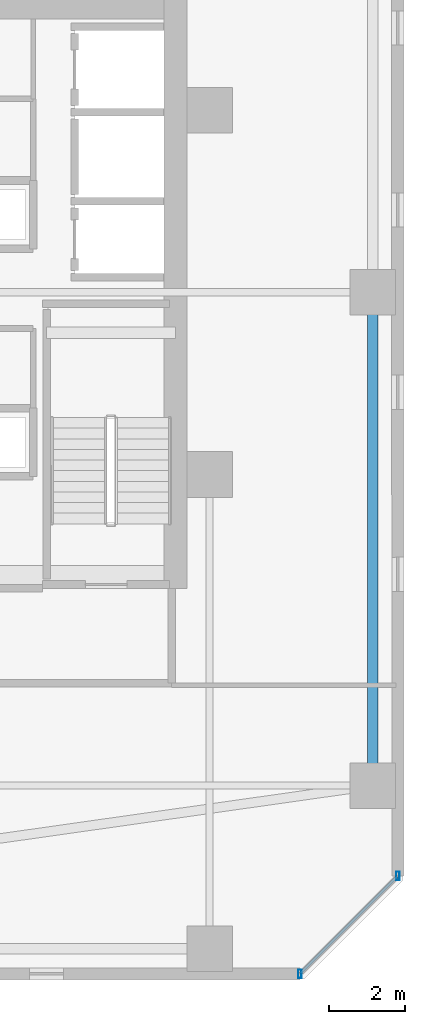
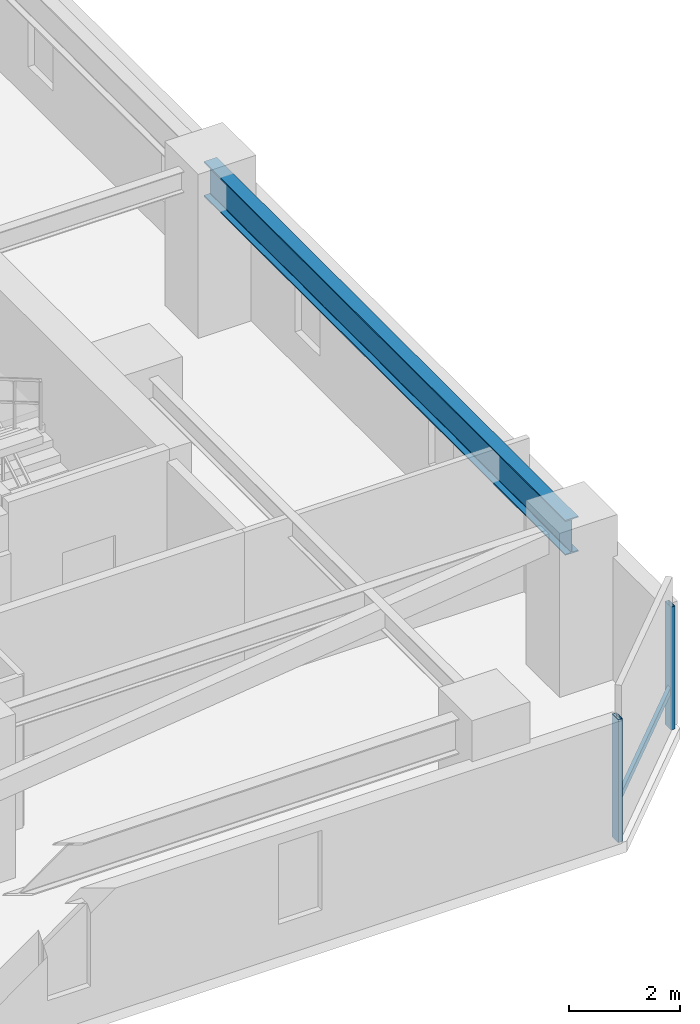
# One storey, part 12 of 29: 3 members, 1 beam, 1 element without a shape of its own.
"""IFC4 building model written with IfcOpenShell, lengths in metres."""

from ifc_helpers import new_model, si_unit, direction, frame, origin, origin_2d, place, context, subcontext, project, spatial, hollow_rectangle, i_section, extrude, material, material_profile, profile_set, type_object, element, aggregate, save


model = new_model("IFC4")

# Units and contexts
model_context = context("Model", 3, precision=1e-05, world=origin(), true_north=direction((0.0, 1.0)))
body_context = subcontext(model_context, "Body", "Model", "MODEL_VIEW")
ifc_project = project(units=[si_unit("LENGTHUNIT", "METRE"), si_unit("AREAUNIT", "SQUARE_METRE"), si_unit("VOLUMEUNIT", "CUBIC_METRE"), si_unit("PLANEANGLEUNIT", "RADIAN"), si_unit("MASSUNIT", "GRAM", prefix="KILO")], contexts=[model_context])

# Site, building, storey
site_placement = place(None, origin())
site = spatial("IfcSite", under=ifc_project, at=site_placement, CompositionType="ELEMENT")
building_placement = place(site_placement, origin())
building = spatial("IfcBuilding", under=site, at=building_placement, Name="Thornwick Lancets Civic Towers", CompositionType="ELEMENT")
storey_placement = place(building_placement, frame((0.0, 0.0, 83.699951171875)))
storey = spatial("IfcBuildingStorey", under=building, at=storey_placement, Name="L21", CompositionType="ELEMENT", Elevation=83.699951171875)

# Beam
ifc_material_1 = material(Name="Steel S355JR", Category="steel")
ifc_material_profile_1 = material_profile(ifc_material_1, i_section(OverallWidth=0.26806640625, OverallDepth=0.769775390625, WebThickness=0.015625, FlangeThickness=0.025390625, FilletRadius=0.0166015625, at=origin_2d()), Name="UKB 762x267x197")
ifc_profile_set_1 = profile_set([ifc_material_profile_1], Name="Steel S355JR")
beam_type = type_object("IfcBeamType", Name="BM_GIRD_762_197", PredefinedType="BEAM", material=ifc_profile_set_1)
beam_placement = place(storey_placement, frame((105.800048828125, 14.0, 2.97509765625), z_axis=(0.0, 1.0, 0.0), x_axis=(-1.0, 0.0, 0.0)))
element("IfcBeam", 1, at=beam_placement, inside=storey, type_object=beam_type, Name="BM-SPINE-L21-B-0-1", PredefinedType="BEAM", context=body_context, shape_type="SweptSolid", body=[
    extrude(i_section(OverallWidth=0.26806640625, OverallDepth=0.769775390625, WebThickness=0.015625, FlangeThickness=0.025390625, FilletRadius=0.0166015625, at=origin_2d()), origin(), (0.0, 0.0, 1.0), 13.0),
])

# Curtain wall, members
ifc_material_2 = material(Name="Low-zone chamfered-corner unitised glass curtain wall", Category="glass")
curtain_wall_type = type_object("IfcCurtainWallType", Name="CW_SYS_03", PredefinedType="NOTDEFINED", material=ifc_material_2)
curtain_wall_placement = place(storey_placement, origin())
curtain_wall = element("IfcCurtainWall", 2, at=curtain_wall_placement, inside=storey, type_object=curtain_wall_type, Name="L21 Curtain Wall CW-L21-B-E1", PredefinedType="NOTDEFINED")
ifc_material_3 = material(Name="Thermally broken bronze aluminium S355", Category="steel")
ifc_material_profile_2 = material_profile(ifc_material_3, hollow_rectangle(XDim=0.090087890625, YDim=0.219970703125, WallThickness=0.00634765625, at=origin_2d()), Name="RHS 220x90x6.3")
ifc_profile_set_2 = profile_set([ifc_material_profile_2], Name="Thermally broken bronze aluminium S355")
member_type_1 = type_object("IfcMemberType", Name="CW_MUL_220", PredefinedType="MULLION", material=ifc_profile_set_2)
member_1_placement = place(storey_placement, frame((103.88134765625, 9.035400390625, 0.0), z_axis=(0.0, 0.0, 1.0), x_axis=(1.0, 0.0, 0.0)))
member_1 = element("IfcMember", 3, at=member_1_placement, type_object=member_type_1, Name="CW-L21-B-E1 Mullion 0", PredefinedType="MULLION", context=body_context, shape_type="SweptSolid", body=[
    extrude(hollow_rectangle(XDim=0.090087890625, YDim=0.219970703125, WallThickness=0.00634765625, at=origin_2d()), origin(), (0.0, 0.0, 1.0), 2.699951171875),
])
member_2_placement = place(storey_placement, frame((106.464599609375, 11.61865234375, 0.0), z_axis=(0.0, 0.0, 1.0), x_axis=(1.0, 0.0, 0.0)))
member_2 = element("IfcMember", 4, at=member_2_placement, type_object=member_type_1, Name="CW-L21-B-E1 Mullion 1", PredefinedType="MULLION", context=body_context, shape_type="SweptSolid", body=[
    extrude(hollow_rectangle(XDim=0.090087890625, YDim=0.219970703125, WallThickness=0.00634765625, at=origin_2d()), origin(), (0.0, 0.0, 1.0), 2.699951171875),
])
ifc_material_profile_3 = material_profile(ifc_material_3, hollow_rectangle(XDim=0.074951171875, YDim=0.14990234375, WallThickness=0.0048828125, at=origin_2d()), Name="RHS 150x75x5")
ifc_profile_set_3 = profile_set([ifc_material_profile_3], Name="Thermally broken bronze aluminium S355")
member_type_2 = type_object("IfcMemberType", Name="CW_TRN_150", PredefinedType="USERDEFINED", material=ifc_profile_set_3)
member_3_placement = place(storey_placement, frame((103.8955078125, 9.04931640625, 0.85009765625), z_axis=(0.707106781187, 0.707106781187, 0.0), x_axis=(-0.707106781187, 0.707106781187, 0.0)))
member_3 = element("IfcMember", 5, at=member_3_placement, type_object=member_type_2, Name="CW-L21-B-E1 Transom 0", ObjectType="TRANSOM", PredefinedType="USERDEFINED", context=body_context, shape_type="SweptSolid", body=[
    extrude(hollow_rectangle(XDim=0.074951171875, YDim=0.14990234375, WallThickness=0.0048828125, at=origin_2d()), origin(), (0.0, 0.0, 1.0), 3.613525390625),
])
aggregate(curtain_wall, [member_1, member_2, member_3])

save(model, "model.ifc")
